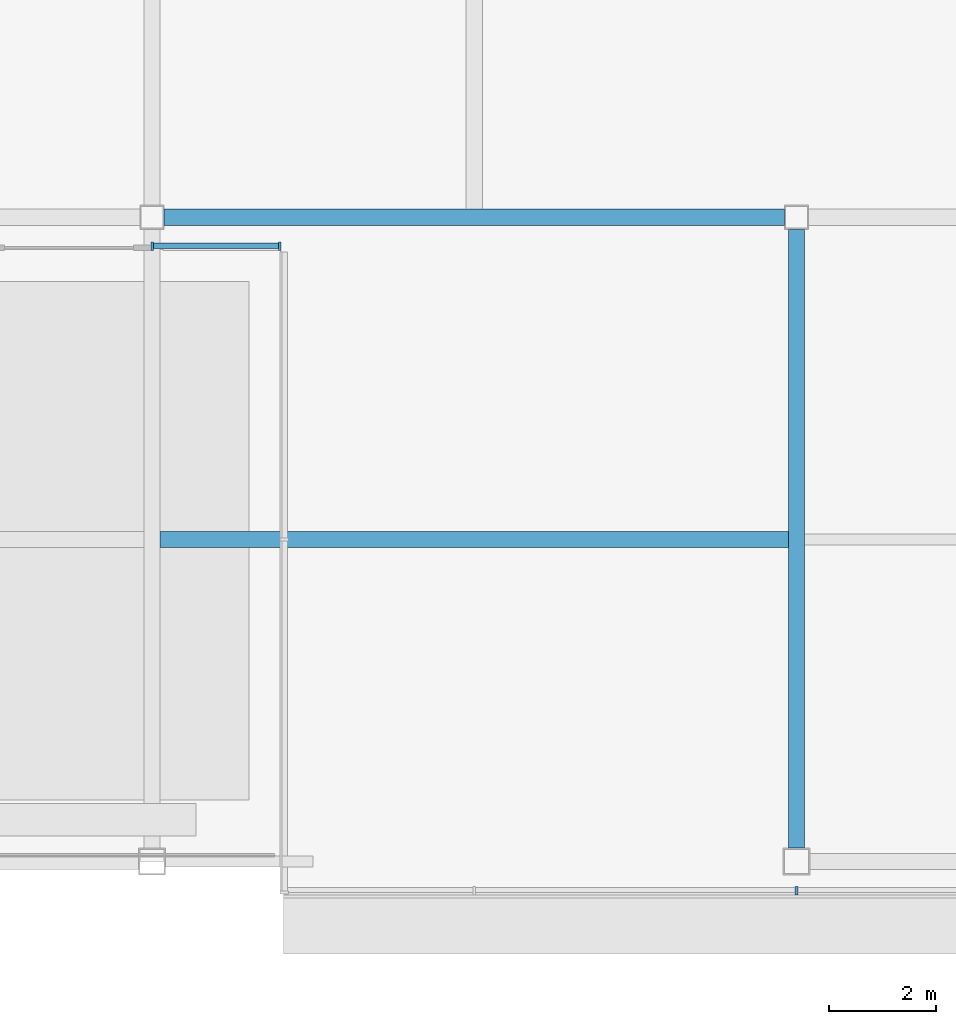
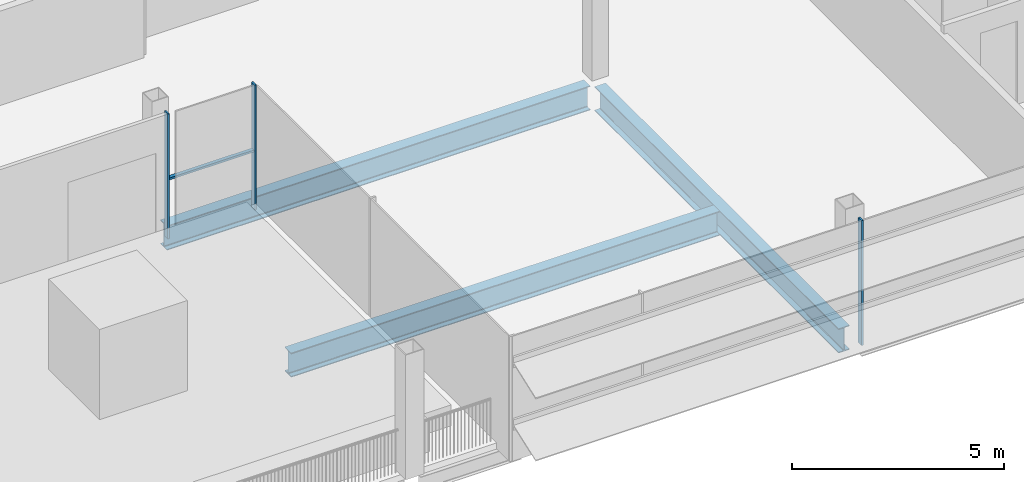
# One storey, part 5 of 31: 4 members, 3 beams, 2 elements without a shape of their own.
"""IFC4 building model written with IfcOpenShell, lengths in metres."""

from ifc_helpers import new_model, si_unit, direction, frame, origin, origin_2d, place, context, subcontext, project, spatial, rectangle, i_section, extrude, material, material_profile, profile_set, type_object, element, aggregate, save


model = new_model("IFC4")

# Units and contexts
model_context = context("Model", 3, precision=1e-05, world=origin(), true_north=direction((0.0, 1.0)))
body_context = subcontext(model_context, "Body", "Model", "MODEL_VIEW")
ifc_project = project(units=[si_unit("LENGTHUNIT", "METRE"), si_unit("AREAUNIT", "SQUARE_METRE"), si_unit("VOLUMEUNIT", "CUBIC_METRE"), si_unit("PLANEANGLEUNIT", "RADIAN"), si_unit("MASSUNIT", "GRAM", prefix="KILO")], contexts=[model_context])

# Site, building, storey
site_placement = place(None, origin())
site = spatial("IfcSite", under=ifc_project, at=site_placement, CompositionType="ELEMENT")
building_placement = place(site_placement, origin())
building = spatial("IfcBuilding", under=site, at=building_placement, Name="Sorahane Residences", CompositionType="ELEMENT")
storey_placement = place(building_placement, frame((0.0, 0.0, 319.60009765625)))
storey = spatial("IfcBuildingStorey", under=building, at=storey_placement, Name="L76", CompositionType="ELEMENT", Elevation=319.60009765625)

# Curtain wall, members
ifc_material_1 = material(Name="Dark low-e glass and black anodised aluminium", Category="aluminium")
curtain_wall_type = type_object("IfcCurtainWallType", Name="Curtain wall CW-1 Typical unitised wall", PredefinedType="NOTDEFINED", material=ifc_material_1)
curtain_wall_1_placement = place(storey_placement, origin())
curtain_wall_1 = element("IfcCurtainWall", 1, at=curtain_wall_1_placement, inside=storey, type_object=curtain_wall_type, Name="CW-1 curtain wall L76 S1", PredefinedType="NOTDEFINED")
ifc_material_2 = material(Name="Black anodised aluminium", Category="aluminium")
ifc_material_profile_1 = material_profile(ifc_material_2, rectangle(XDim=0.159912109375, YDim=0.050048828125, at=origin_2d()), Name="Curtain wall mullion CW-1 black anodised aluminium 50x160")
ifc_profile_set_1 = profile_set([ifc_material_profile_1], Name="Black anodised aluminium")
member_type_1 = type_object("IfcMemberType", Name="Curtain wall mullion CW-1 black anodised aluminium 50x160", PredefinedType="MULLION", material=ifc_profile_set_1)
member_1_placement = place(storey_placement, frame((0.0, 11.4599609375, -0.18017578125), z_axis=(0.0, 0.0, 1.0), x_axis=(0.0, -1.0, 0.0)))
member_1 = element("IfcMember", 2, at=member_1_placement, type_object=member_type_1, Name="CW-1 mullion L76 S1.3", PredefinedType="MULLION", context=body_context, shape_type="SweptSolid", body=[
    extrude(rectangle(XDim=0.159912109375, YDim=0.050048828125, at=origin_2d()), origin(), (0.0, 0.0, 1.0), 3.60009765625),
])
member_2_placement = place(storey_placement, frame((2.375, 11.4599609375, -0.18017578125), z_axis=(0.0, 0.0, 1.0), x_axis=(0.0, -1.0, 0.0)))
member_2 = element("IfcMember", 3, at=member_2_placement, type_object=member_type_1, Name="CW-1 mullion L76 S1.4", PredefinedType="MULLION", context=body_context, shape_type="SweptSolid", body=[
    extrude(rectangle(XDim=0.159912109375, YDim=0.050048828125, at=origin_2d()), origin(), (0.0, 0.0, 1.0), 3.60009765625),
])

# Curtain wall, member
curtain_wall_2_placement = place(storey_placement, origin())
curtain_wall_2 = element("IfcCurtainWall", 4, at=curtain_wall_2_placement, inside=storey, type_object=curtain_wall_type, Name="CW-1 curtain wall L76 S2", PredefinedType="NOTDEFINED")
member_3_placement = place(storey_placement, frame((12.0, -0.5400390625, -0.18017578125), z_axis=(0.0, 0.0, 1.0), x_axis=(0.0, -1.0, 0.0)))
member_3 = element("IfcMember", 5, at=member_3_placement, type_object=member_type_1, Name="CW-1 mullion L76 S2.3", PredefinedType="MULLION", context=body_context, shape_type="SweptSolid", body=[
    extrude(rectangle(XDim=0.159912109375, YDim=0.050048828125, at=origin_2d()), origin(), (0.0, 0.0, 1.0), 3.60009765625),
])
aggregate(curtain_wall_2, [member_3])

# Member
ifc_material_3 = material(Name="Black anodised aluminium", Category="aluminium")
ifc_material_profile_2 = material_profile(ifc_material_3, rectangle(XDim=0.10009765625, YDim=0.06005859375, at=origin_2d()), Name="Curtain wall transom CW-1 black anodised aluminium 60x100")
ifc_profile_set_2 = profile_set([ifc_material_profile_2], Name="Black anodised aluminium")
member_type_2 = type_object("IfcMemberType", Name="Curtain wall transom CW-1 black anodised aluminium 60x100", PredefinedType="USERDEFINED", material=ifc_profile_set_2)
member_4_placement = place(storey_placement, frame((0.02490234375, 11.469970703125, 1.5), z_axis=(1.0, 0.0, 0.0), x_axis=(0.0, 1.0, 0.0)))
member_4 = element("IfcMember", 6, at=member_4_placement, type_object=member_type_2, Name="CW-1 transom L76 S1.2", ObjectType="TRANSOM", PredefinedType="USERDEFINED", context=body_context, shape_type="SweptSolid", body=[
    extrude(rectangle(XDim=0.10009765625, YDim=0.06005859375, at=origin_2d()), origin(), (0.0, 0.0, 1.0), 2.3251953125),
])

aggregate(curtain_wall_1, [member_1, member_2, member_4])

# Beams
ifc_material_4 = material(Name="Steel Q355B", Category="steel")
ifc_material_profile_3 = material_profile(ifc_material_4, i_section(OverallWidth=0.300048828125, OverallDepth=0.699951171875, WebThickness=0.012939453125, FlangeThickness=0.02392578125, FilletRadius=0.028076171875, at=origin_2d()), Name="HN 700x300x13x24")
ifc_profile_set_3 = profile_set([ifc_material_profile_3], Name="Steel Q355B")
beam_type = type_object("IfcBeamType", Name="Steel floor beam HN 700x300x13x24 Q355B", PredefinedType="BEAM", material=ifc_profile_set_3)
beam_1_placement = place(storey_placement, frame((0.22509765625, 12.0, -0.530029296875), z_axis=(1.0, 0.0, 0.0), x_axis=(0.0, 1.0, 0.0)))
element("IfcBeam", 7, at=beam_1_placement, inside=storey, type_object=beam_type, Name="Beam L76 007", PredefinedType="BEAM", context=body_context, shape_type="SweptSolid", body=[
    extrude(i_section(OverallWidth=0.300048828125, OverallDepth=0.699951171875, WebThickness=0.012939453125, FlangeThickness=0.02392578125, FilletRadius=0.028076171875, at=origin_2d()), origin(), (0.0, 0.0, 1.0), 11.5498046875),
])
beam_2_placement = place(storey_placement, frame((12.0, 0.25, -0.530029296875), z_axis=(0.0, 1.0, 0.0), x_axis=(-1.0, 0.0, 0.0)))
element("IfcBeam", 8, at=beam_2_placement, inside=storey, type_object=beam_type, Name="Beam L76 037", PredefinedType="BEAM", context=body_context, shape_type="SweptSolid", body=[
    extrude(i_section(OverallWidth=0.300048828125, OverallDepth=0.699951171875, WebThickness=0.012939453125, FlangeThickness=0.02392578125, FilletRadius=0.028076171875, at=origin_2d()), origin(), (0.0, 0.0, 1.0), 11.52490234375),
])
beam_3_placement = place(storey_placement, frame((0.14990234375, 6.0, -0.530029296875), z_axis=(1.0, 0.0, 0.0), x_axis=(0.0, 1.0, 0.0)))
element("IfcBeam", 9, at=beam_3_placement, inside=storey, type_object=beam_type, Name="Beam L76 067", PredefinedType="BEAM", context=body_context, shape_type="SweptSolid", body=[
    extrude(i_section(OverallWidth=0.300048828125, OverallDepth=0.699951171875, WebThickness=0.012939453125, FlangeThickness=0.02392578125, FilletRadius=0.028076171875, at=origin_2d()), origin(), (0.0, 0.0, 1.0), 11.7001953125),
])

save(model, "model.ifc")
